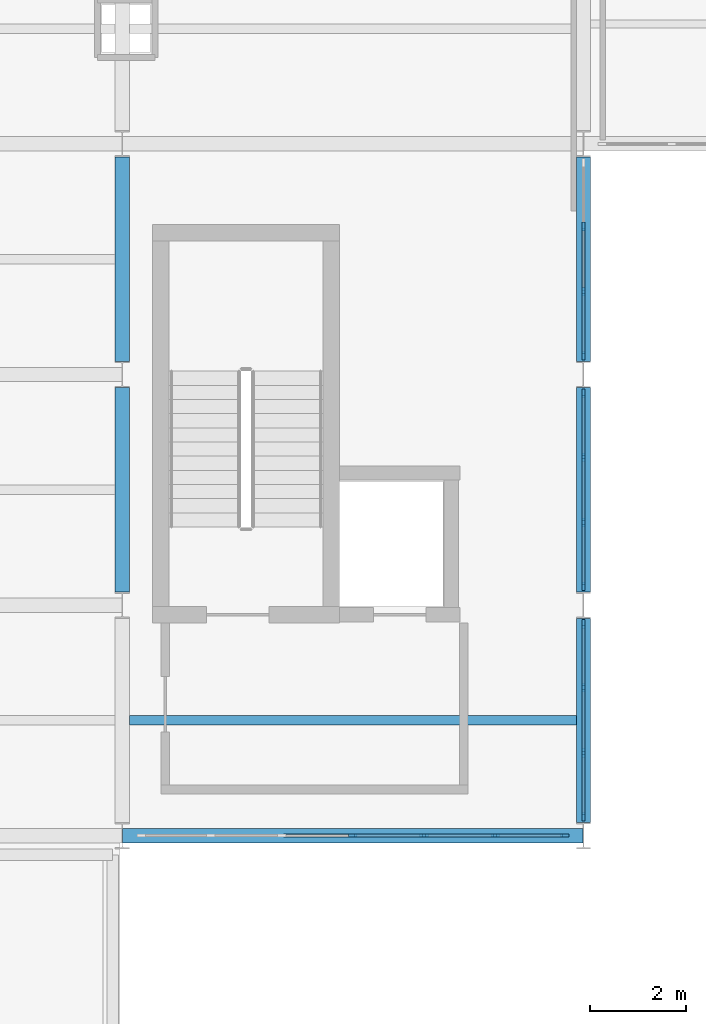
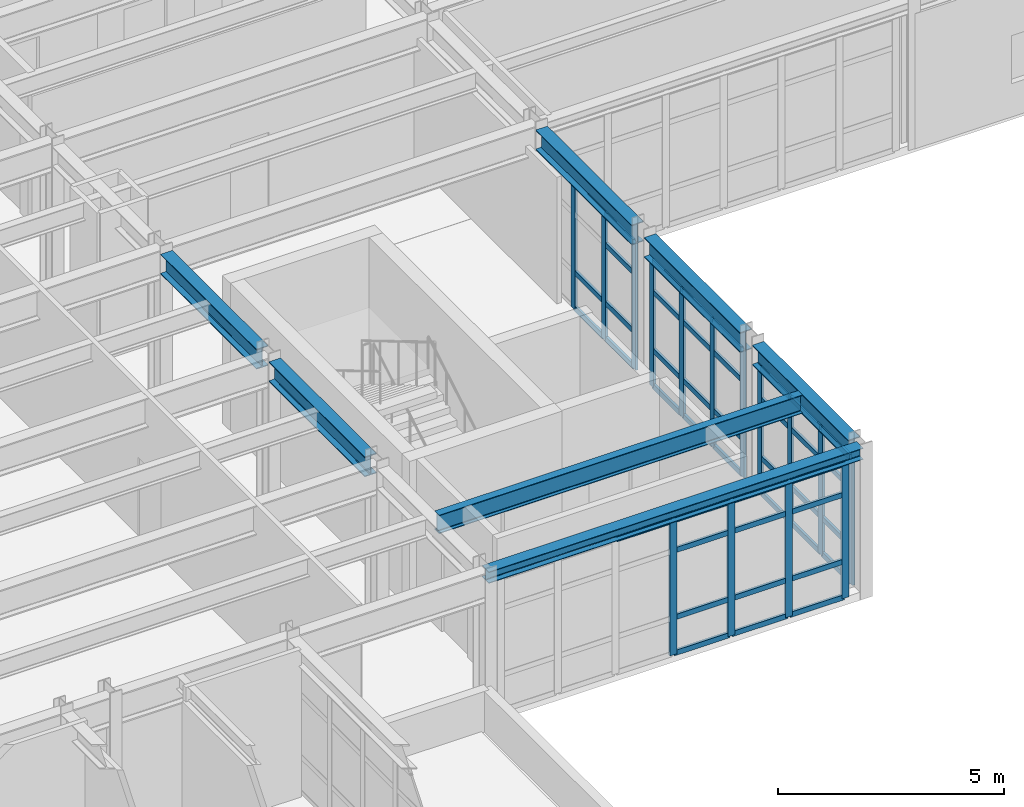
# One storey, part 23 of 64: 58 members, 7 beams, 4 elements without a shape of their own.
"""IFC4 building model written with IfcOpenShell, lengths in metres."""

from ifc_helpers import new_model, si_unit, direction, frame, origin, origin_2d, place, context, subcontext, project, spatial, rectangle, i_section, extrude, material, layer, layer_set, material_profile, profile_set, type_object, element, aggregate, save


model = new_model("IFC4")

# Units and contexts
model_context = context("Model", 3, precision=1e-05, world=origin(), true_north=direction((0.0, 1.0)))
body_context = subcontext(model_context, "Body", "Model", "MODEL_VIEW")
ifc_project = project(units=[si_unit("LENGTHUNIT", "METRE"), si_unit("AREAUNIT", "SQUARE_METRE"), si_unit("VOLUMEUNIT", "CUBIC_METRE"), si_unit("PLANEANGLEUNIT", "RADIAN"), si_unit("MASSUNIT", "GRAM", prefix="KILO")], contexts=[model_context])

# Site, building, storey
site_placement = place(None, origin())
site = spatial("IfcSite", under=ifc_project, at=site_placement, CompositionType="ELEMENT")
building_placement = place(site_placement, origin())
building = spatial("IfcBuilding", under=site, at=building_placement, Name="Nordkorset Police Headquarters", CompositionType="ELEMENT")
storey_placement = place(building_placement, frame((0.0, 0.0, 17.85009765625)))
storey = spatial("IfcBuildingStorey", under=building, at=storey_placement, Name="L04", CompositionType="ELEMENT", Elevation=17.85009765625)

# Beam
ifc_material_1 = material(Name="Steel S355J2", Category="steel")
ifc_material_profile_1 = material_profile(ifc_material_1, i_section(OverallWidth=0.199951171875, OverallDepth=0.5, WebThickness=0.01025390625, FlangeThickness=0.01611328125, FilletRadius=0.02099609375, at=origin_2d()), Name="IPE 500")
ifc_profile_set_1 = profile_set([ifc_material_profile_1], Name="Steel S355J2")
beam_type_1 = type_object("IfcBeamType", Name="Beam_IPE_500", PredefinedType="BEAM", material=ifc_profile_set_1)
beam_1_placement = place(storey_placement, frame((19.35009765625, 85.60009765625, 3.739990234375), z_axis=(1.0, 0.0, 0.0), x_axis=(0.0, 1.0, 0.0)))
element("IfcBeam", 1, at=beam_1_placement, inside=storey, type_object=beam_type_1, Name="Composite Floor Beam V1 L04 1-0-1", PredefinedType="BEAM", context=body_context, shape_type="SweptSolid", body=[
    extrude(i_section(OverallWidth=0.199951171875, OverallDepth=0.5, WebThickness=0.01025390625, FlangeThickness=0.01611328125, FilletRadius=0.02099609375, at=origin_2d()), origin(), (0.0, 0.0, 1.0), 9.2998046875),
])

# Curtain wall, members
ifc_material_2 = material(Name="Aluminium alloy AW-6060", Category="aluminium")
ifc_layer_1 = layer(ifc_material_2, 0.179931640625, Name="Aluminium alloy AW-6060")
ifc_layer_set_1 = layer_set([ifc_layer_1], Name="Aluminium alloy AW-6060")
curtain_wall_type_1 = type_object("IfcCurtainWallType", Name="CW_Unit_408x343", PredefinedType="USERDEFINED", material=ifc_layer_set_1)
curtain_wall_1_placement = place(storey_placement, origin())
curtain_wall_1 = element("IfcCurtainWall", 2, at=curtain_wall_1_placement, inside=storey, type_object=curtain_wall_type_1, Name="Unitised Curtain Wall L04 V1E-0", ObjectType="UNITISED CURTAIN WALL", PredefinedType="USERDEFINED")
ifc_material_3 = material(Name="Aluminium alloy AW-6060", Category="aluminium")
ifc_material_profile_2 = material_profile(ifc_material_3, rectangle(XDim=0.06494140625, YDim=0.179931640625, at=origin_2d()), Name="ALU MULL 65x180")
ifc_profile_set_2 = profile_set([ifc_material_profile_2], Name="Aluminium alloy AW-6060")
member_type_1 = type_object("IfcMemberType", Name="CW_Mullion_65x180", PredefinedType="MULLION", material=ifc_profile_set_2)
member_1_placement = place(storey_placement, frame((28.800048828125, 83.592529296875, 0.0), z_axis=(0.0, 0.0, 1.0), x_axis=(-1.0, 0.0, 0.0)))
member_1 = element("IfcMember", 3, at=member_1_placement, type_object=member_type_1, Name="CW-89 mullion 1", PredefinedType="MULLION", context=body_context, shape_type="SweptSolid", body=[
    extrude(rectangle(XDim=0.06494140625, YDim=0.179931640625, at=origin_2d()), origin(), (0.0, 0.0, 1.0), 3.429931640625),
])
member_2_placement = place(storey_placement, frame((28.800048828125, 84.919921875, 0.0), z_axis=(0.0, 0.0, 1.0), x_axis=(-1.0, 0.0, 0.0)))
member_2 = element("IfcMember", 4, at=member_2_placement, type_object=member_type_1, Name="CW-89 mullion 2", PredefinedType="MULLION", context=body_context, shape_type="SweptSolid", body=[
    extrude(rectangle(XDim=0.06494140625, YDim=0.179931640625, at=origin_2d()), origin(), (0.0, 0.0, 1.0), 3.429931640625),
])
member_3_placement = place(storey_placement, frame((28.800048828125, 86.280029296875, 0.0), z_axis=(0.0, 0.0, 1.0), x_axis=(-1.0, 0.0, 0.0)))
member_3 = element("IfcMember", 5, at=member_3_placement, type_object=member_type_1, Name="CW-89 mullion 3", PredefinedType="MULLION", context=body_context, shape_type="SweptSolid", body=[
    extrude(rectangle(XDim=0.06494140625, YDim=0.179931640625, at=origin_2d()), origin(), (0.0, 0.0, 1.0), 3.429931640625),
])
member_4_placement = place(storey_placement, frame((28.800048828125, 87.607421875, 0.0), z_axis=(0.0, 0.0, 1.0), x_axis=(-1.0, 0.0, 0.0)))
member_4 = element("IfcMember", 6, at=member_4_placement, type_object=member_type_1, Name="CW-89 mullion 4", PredefinedType="MULLION", context=body_context, shape_type="SweptSolid", body=[
    extrude(rectangle(XDim=0.06494140625, YDim=0.179931640625, at=origin_2d()), origin(), (0.0, 0.0, 1.0), 3.429931640625),
])

curtain_wall_2_placement = place(storey_placement, origin())
curtain_wall_2 = element("IfcCurtainWall", 7, at=curtain_wall_2_placement, inside=storey, type_object=curtain_wall_type_1, Name="Unitised Curtain Wall L04 V1E-1", ObjectType="UNITISED CURTAIN WALL", PredefinedType="USERDEFINED")
member_5_placement = place(storey_placement, frame((28.800048828125, 88.392578125, 0.0), z_axis=(0.0, 0.0, 1.0), x_axis=(-1.0, 0.0, 0.0)))
member_5 = element("IfcMember", 8, at=member_5_placement, type_object=member_type_1, Name="CW-89 mullion 1", PredefinedType="MULLION", context=body_context, shape_type="SweptSolid", body=[
    extrude(rectangle(XDim=0.06494140625, YDim=0.179931640625, at=origin_2d()), origin(), (0.0, 0.0, 1.0), 3.429931640625),
])
member_6_placement = place(storey_placement, frame((28.800048828125, 89.719970703125, 0.0), z_axis=(0.0, 0.0, 1.0), x_axis=(-1.0, 0.0, 0.0)))
member_6 = element("IfcMember", 9, at=member_6_placement, type_object=member_type_1, Name="CW-89 mullion 2", PredefinedType="MULLION", context=body_context, shape_type="SweptSolid", body=[
    extrude(rectangle(XDim=0.06494140625, YDim=0.179931640625, at=origin_2d()), origin(), (0.0, 0.0, 1.0), 3.429931640625),
])
member_7_placement = place(storey_placement, frame((28.800048828125, 91.080078125, 0.0), z_axis=(0.0, 0.0, 1.0), x_axis=(-1.0, 0.0, 0.0)))
member_7 = element("IfcMember", 10, at=member_7_placement, type_object=member_type_1, Name="CW-89 mullion 3", PredefinedType="MULLION", context=body_context, shape_type="SweptSolid", body=[
    extrude(rectangle(XDim=0.06494140625, YDim=0.179931640625, at=origin_2d()), origin(), (0.0, 0.0, 1.0), 3.429931640625),
])
member_8_placement = place(storey_placement, frame((28.800048828125, 92.407470703125, 0.0), z_axis=(0.0, 0.0, 1.0), x_axis=(-1.0, 0.0, 0.0)))
member_8 = element("IfcMember", 11, at=member_8_placement, type_object=member_type_1, Name="CW-89 mullion 4", PredefinedType="MULLION", context=body_context, shape_type="SweptSolid", body=[
    extrude(rectangle(XDim=0.06494140625, YDim=0.179931640625, at=origin_2d()), origin(), (0.0, 0.0, 1.0), 3.429931640625),
])

curtain_wall_3_placement = place(storey_placement, origin())
curtain_wall_3 = element("IfcCurtainWall", 12, at=curtain_wall_3_placement, inside=storey, type_object=curtain_wall_type_1, Name="Unitised Curtain Wall L04 V1E-2", ObjectType="UNITISED CURTAIN WALL", PredefinedType="USERDEFINED")
member_9_placement = place(storey_placement, frame((28.800048828125, 93.1923828125, 0.0), z_axis=(0.0, 0.0, 1.0), x_axis=(-1.0, 0.0, 0.0)))
member_9 = element("IfcMember", 13, at=member_9_placement, type_object=member_type_1, Name="CW-89 mullion 1", PredefinedType="MULLION", context=body_context, shape_type="SweptSolid", body=[
    extrude(rectangle(XDim=0.06494140625, YDim=0.179931640625, at=origin_2d()), origin(), (0.0, 0.0, 1.0), 3.429931640625),
])
member_10_placement = place(storey_placement, frame((28.800048828125, 94.52001953125, 0.0), z_axis=(0.0, 0.0, 1.0), x_axis=(-1.0, 0.0, 0.0)))
member_10 = element("IfcMember", 14, at=member_10_placement, type_object=member_type_1, Name="CW-89 mullion 2", PredefinedType="MULLION", context=body_context, shape_type="SweptSolid", body=[
    extrude(rectangle(XDim=0.06494140625, YDim=0.179931640625, at=origin_2d()), origin(), (0.0, 0.0, 1.0), 3.429931640625),
])
member_11_placement = place(storey_placement, frame((28.800048828125, 95.8798828125, 0.0), z_axis=(0.0, 0.0, 1.0), x_axis=(-1.0, 0.0, 0.0)))
member_11 = element("IfcMember", 15, at=member_11_placement, type_object=member_type_1, Name="CW-89 mullion 3", PredefinedType="MULLION", context=body_context, shape_type="SweptSolid", body=[
    extrude(rectangle(XDim=0.06494140625, YDim=0.179931640625, at=origin_2d()), origin(), (0.0, 0.0, 1.0), 3.429931640625),
])

ifc_material_4 = material(Name="Aluminium alloy AW-6060", Category="aluminium")
ifc_layer_2 = layer(ifc_material_4, 0.179931640625, Name="Aluminium alloy AW-6060")
ifc_layer_set_2 = layer_set([ifc_layer_2], Name="Aluminium alloy AW-6060")
curtain_wall_type_2 = type_object("IfcCurtainWallType", Name="CW_Unit_888x366", PredefinedType="USERDEFINED", material=ifc_layer_set_2)
curtain_wall_4_placement = place(storey_placement, origin())
curtain_wall_4 = element("IfcCurtainWall", 16, at=curtain_wall_4_placement, inside=storey, type_object=curtain_wall_type_2, Name="Unitised Curtain Wall L04 V1S-2", ObjectType="UNITISED CURTAIN WALL", PredefinedType="USERDEFINED")
member_12_placement = place(storey_placement, frame((24.0, 83.199951171875, 0.0), z_axis=(0.0, 0.0, 1.0), x_axis=(0.0, 1.0, 0.0)))
member_12 = element("IfcMember", 17, at=member_12_placement, type_object=member_type_1, Name="CW-19 mullion 4", PredefinedType="MULLION", context=body_context, shape_type="SweptSolid", body=[
    extrude(rectangle(XDim=0.06494140625, YDim=0.179931640625, at=origin_2d()), origin(), (0.0, 0.0, 1.0), 3.659912109375),
])
member_13_placement = place(storey_placement, frame((25.47998046875, 83.199951171875, 0.0), z_axis=(0.0, 0.0, 1.0), x_axis=(0.0, 1.0, 0.0)))
member_13 = element("IfcMember", 18, at=member_13_placement, type_object=member_type_1, Name="CW-19 mullion 5", PredefinedType="MULLION", context=body_context, shape_type="SweptSolid", body=[
    extrude(rectangle(XDim=0.06494140625, YDim=0.179931640625, at=origin_2d()), origin(), (0.0, 0.0, 1.0), 3.659912109375),
])
member_14_placement = place(storey_placement, frame((26.9599609375, 83.199951171875, 0.0), z_axis=(0.0, 0.0, 1.0), x_axis=(0.0, 1.0, 0.0)))
member_14 = element("IfcMember", 19, at=member_14_placement, type_object=member_type_1, Name="CW-19 mullion 6", PredefinedType="MULLION", context=body_context, shape_type="SweptSolid", body=[
    extrude(rectangle(XDim=0.06494140625, YDim=0.179931640625, at=origin_2d()), origin(), (0.0, 0.0, 1.0), 3.659912109375),
])
member_15_placement = place(storey_placement, frame((28.407470703125, 83.199951171875, 0.0), z_axis=(0.0, 0.0, 1.0), x_axis=(0.0, 1.0, 0.0)))
member_15 = element("IfcMember", 20, at=member_15_placement, type_object=member_type_1, Name="CW-19 mullion 7", PredefinedType="MULLION", context=body_context, shape_type="SweptSolid", body=[
    extrude(rectangle(XDim=0.06494140625, YDim=0.179931640625, at=origin_2d()), origin(), (0.0, 0.0, 1.0), 3.659912109375),
])

# Member
ifc_material_5 = material(Name="Aluminium alloy AW-6060", Category="aluminium")
ifc_material_profile_3 = material_profile(ifc_material_5, rectangle(XDim=0.06494140625, YDim=0.139892578125, at=origin_2d()), Name="ALU TRAN 65x140")
ifc_profile_set_3 = profile_set([ifc_material_profile_3], Name="Aluminium alloy AW-6060")
member_type_2 = type_object("IfcMemberType", Name="CW_Transom_65x140", PredefinedType="USERDEFINED", material=ifc_profile_set_3)
member_16_placement = place(storey_placement, frame((28.800048828125, 83.625, 0.032470703125), z_axis=(0.0, 1.0, 0.0), x_axis=(-1.0, 0.0, 0.0)))
member_16 = element("IfcMember", 21, at=member_16_placement, type_object=member_type_2, Name="CW-89 transom 1.1", ObjectType="TRANSOM", PredefinedType="USERDEFINED", context=body_context, shape_type="SweptSolid", body=[
    extrude(rectangle(XDim=0.06494140625, YDim=0.139892578125, at=origin_2d()), origin(), (0.0, 0.0, 1.0), 1.262451171875),
])

member_17_placement = place(storey_placement, frame((28.800048828125, 83.625, 1.0), z_axis=(0.0, 1.0, 0.0), x_axis=(-1.0, 0.0, 0.0)))
member_17 = element("IfcMember", 22, at=member_17_placement, type_object=member_type_2, Name="CW-89 transom 1.2", ObjectType="TRANSOM", PredefinedType="USERDEFINED", context=body_context, shape_type="SweptSolid", body=[
    extrude(rectangle(XDim=0.06494140625, YDim=0.139892578125, at=origin_2d()), origin(), (0.0, 0.0, 1.0), 1.262451171875),
])

member_18_placement = place(storey_placement, frame((28.800048828125, 83.625, 2.579833984375), z_axis=(0.0, 1.0, 0.0), x_axis=(-1.0, 0.0, 0.0)))
member_18 = element("IfcMember", 23, at=member_18_placement, type_object=member_type_2, Name="CW-89 transom 1.3", ObjectType="TRANSOM", PredefinedType="USERDEFINED", context=body_context, shape_type="SweptSolid", body=[
    extrude(rectangle(XDim=0.06494140625, YDim=0.139892578125, at=origin_2d()), origin(), (0.0, 0.0, 1.0), 1.262451171875),
])

member_19_placement = place(storey_placement, frame((28.800048828125, 83.625, 3.3974609375), z_axis=(0.0, 1.0, 0.0), x_axis=(-1.0, 0.0, 0.0)))
member_19 = element("IfcMember", 24, at=member_19_placement, type_object=member_type_2, Name="CW-89 transom 1.4", ObjectType="TRANSOM", PredefinedType="USERDEFINED", context=body_context, shape_type="SweptSolid", body=[
    extrude(rectangle(XDim=0.06494140625, YDim=0.139892578125, at=origin_2d()), origin(), (0.0, 0.0, 1.0), 1.262451171875),
])

member_20_placement = place(storey_placement, frame((28.800048828125, 84.952392578125, 0.032470703125), z_axis=(0.0, 1.0, 0.0), x_axis=(-1.0, 0.0, 0.0)))
member_20 = element("IfcMember", 25, at=member_20_placement, type_object=member_type_2, Name="CW-89 transom 2.1", ObjectType="TRANSOM", PredefinedType="USERDEFINED", context=body_context, shape_type="SweptSolid", body=[
    extrude(rectangle(XDim=0.06494140625, YDim=0.139892578125, at=origin_2d()), origin(), (0.0, 0.0, 1.0), 1.295166015625),
])

member_21_placement = place(storey_placement, frame((28.800048828125, 84.952392578125, 1.0), z_axis=(0.0, 1.0, 0.0), x_axis=(-1.0, 0.0, 0.0)))
member_21 = element("IfcMember", 26, at=member_21_placement, type_object=member_type_2, Name="CW-89 transom 2.2", ObjectType="TRANSOM", PredefinedType="USERDEFINED", context=body_context, shape_type="SweptSolid", body=[
    extrude(rectangle(XDim=0.06494140625, YDim=0.139892578125, at=origin_2d()), origin(), (0.0, 0.0, 1.0), 1.295166015625),
])

member_22_placement = place(storey_placement, frame((28.800048828125, 84.952392578125, 2.579833984375), z_axis=(0.0, 1.0, 0.0), x_axis=(-1.0, 0.0, 0.0)))
member_22 = element("IfcMember", 27, at=member_22_placement, type_object=member_type_2, Name="CW-89 transom 2.3", ObjectType="TRANSOM", PredefinedType="USERDEFINED", context=body_context, shape_type="SweptSolid", body=[
    extrude(rectangle(XDim=0.06494140625, YDim=0.139892578125, at=origin_2d()), origin(), (0.0, 0.0, 1.0), 1.295166015625),
])

member_23_placement = place(storey_placement, frame((28.800048828125, 84.952392578125, 3.3974609375), z_axis=(0.0, 1.0, 0.0), x_axis=(-1.0, 0.0, 0.0)))
member_23 = element("IfcMember", 28, at=member_23_placement, type_object=member_type_2, Name="CW-89 transom 2.4", ObjectType="TRANSOM", PredefinedType="USERDEFINED", context=body_context, shape_type="SweptSolid", body=[
    extrude(rectangle(XDim=0.06494140625, YDim=0.139892578125, at=origin_2d()), origin(), (0.0, 0.0, 1.0), 1.295166015625),
])

member_24_placement = place(storey_placement, frame((28.800048828125, 86.3125, 0.032470703125), z_axis=(0.0, 1.0, 0.0), x_axis=(-1.0, 0.0, 0.0)))
member_24 = element("IfcMember", 29, at=member_24_placement, type_object=member_type_2, Name="CW-89 transom 3.1", ObjectType="TRANSOM", PredefinedType="USERDEFINED", context=body_context, shape_type="SweptSolid", body=[
    extrude(rectangle(XDim=0.06494140625, YDim=0.139892578125, at=origin_2d()), origin(), (0.0, 0.0, 1.0), 1.262451171875),
])

member_25_placement = place(storey_placement, frame((28.800048828125, 86.3125, 1.0), z_axis=(0.0, 1.0, 0.0), x_axis=(-1.0, 0.0, 0.0)))
member_25 = element("IfcMember", 30, at=member_25_placement, type_object=member_type_2, Name="CW-89 transom 3.2", ObjectType="TRANSOM", PredefinedType="USERDEFINED", context=body_context, shape_type="SweptSolid", body=[
    extrude(rectangle(XDim=0.06494140625, YDim=0.139892578125, at=origin_2d()), origin(), (0.0, 0.0, 1.0), 1.262451171875),
])

member_26_placement = place(storey_placement, frame((28.800048828125, 86.3125, 2.579833984375), z_axis=(0.0, 1.0, 0.0), x_axis=(-1.0, 0.0, 0.0)))
member_26 = element("IfcMember", 31, at=member_26_placement, type_object=member_type_2, Name="CW-89 transom 3.3", ObjectType="TRANSOM", PredefinedType="USERDEFINED", context=body_context, shape_type="SweptSolid", body=[
    extrude(rectangle(XDim=0.06494140625, YDim=0.139892578125, at=origin_2d()), origin(), (0.0, 0.0, 1.0), 1.262451171875),
])

member_27_placement = place(storey_placement, frame((28.800048828125, 86.3125, 3.3974609375), z_axis=(0.0, 1.0, 0.0), x_axis=(-1.0, 0.0, 0.0)))
member_27 = element("IfcMember", 32, at=member_27_placement, type_object=member_type_2, Name="CW-89 transom 3.4", ObjectType="TRANSOM", PredefinedType="USERDEFINED", context=body_context, shape_type="SweptSolid", body=[
    extrude(rectangle(XDim=0.06494140625, YDim=0.139892578125, at=origin_2d()), origin(), (0.0, 0.0, 1.0), 1.262451171875),
])

aggregate(curtain_wall_1, [member_1, member_2, member_3, member_4, member_16, member_17, member_18, member_19, member_20, member_21, member_22, member_23, member_24, member_25, member_26, member_27])

member_28_placement = place(storey_placement, frame((28.800048828125, 88.425048828125, 0.032470703125), z_axis=(0.0, 1.0, 0.0), x_axis=(-1.0, 0.0, 0.0)))
member_28 = element("IfcMember", 33, at=member_28_placement, type_object=member_type_2, Name="CW-89 transom 1.1", ObjectType="TRANSOM", PredefinedType="USERDEFINED", context=body_context, shape_type="SweptSolid", body=[
    extrude(rectangle(XDim=0.06494140625, YDim=0.139892578125, at=origin_2d()), origin(), (0.0, 0.0, 1.0), 1.262451171875),
])

member_29_placement = place(storey_placement, frame((28.800048828125, 88.425048828125, 1.0), z_axis=(0.0, 1.0, 0.0), x_axis=(-1.0, 0.0, 0.0)))
member_29 = element("IfcMember", 34, at=member_29_placement, type_object=member_type_2, Name="CW-89 transom 1.2", ObjectType="TRANSOM", PredefinedType="USERDEFINED", context=body_context, shape_type="SweptSolid", body=[
    extrude(rectangle(XDim=0.06494140625, YDim=0.139892578125, at=origin_2d()), origin(), (0.0, 0.0, 1.0), 1.262451171875),
])

member_30_placement = place(storey_placement, frame((28.800048828125, 88.425048828125, 2.579833984375), z_axis=(0.0, 1.0, 0.0), x_axis=(-1.0, 0.0, 0.0)))
member_30 = element("IfcMember", 35, at=member_30_placement, type_object=member_type_2, Name="CW-89 transom 1.3", ObjectType="TRANSOM", PredefinedType="USERDEFINED", context=body_context, shape_type="SweptSolid", body=[
    extrude(rectangle(XDim=0.06494140625, YDim=0.139892578125, at=origin_2d()), origin(), (0.0, 0.0, 1.0), 1.262451171875),
])

member_31_placement = place(storey_placement, frame((28.800048828125, 88.425048828125, 3.3974609375), z_axis=(0.0, 1.0, 0.0), x_axis=(-1.0, 0.0, 0.0)))
member_31 = element("IfcMember", 36, at=member_31_placement, type_object=member_type_2, Name="CW-89 transom 1.4", ObjectType="TRANSOM", PredefinedType="USERDEFINED", context=body_context, shape_type="SweptSolid", body=[
    extrude(rectangle(XDim=0.06494140625, YDim=0.139892578125, at=origin_2d()), origin(), (0.0, 0.0, 1.0), 1.262451171875),
])

member_32_placement = place(storey_placement, frame((28.800048828125, 89.75244140625, 0.032470703125), z_axis=(0.0, 1.0, 0.0), x_axis=(-1.0, 0.0, 0.0)))
member_32 = element("IfcMember", 37, at=member_32_placement, type_object=member_type_2, Name="CW-89 transom 2.1", ObjectType="TRANSOM", PredefinedType="USERDEFINED", context=body_context, shape_type="SweptSolid", body=[
    extrude(rectangle(XDim=0.06494140625, YDim=0.139892578125, at=origin_2d()), origin(), (0.0, 0.0, 1.0), 1.295166015625),
])

member_33_placement = place(storey_placement, frame((28.800048828125, 89.75244140625, 1.0), z_axis=(0.0, 1.0, 0.0), x_axis=(-1.0, 0.0, 0.0)))
member_33 = element("IfcMember", 38, at=member_33_placement, type_object=member_type_2, Name="CW-89 transom 2.2", ObjectType="TRANSOM", PredefinedType="USERDEFINED", context=body_context, shape_type="SweptSolid", body=[
    extrude(rectangle(XDim=0.06494140625, YDim=0.139892578125, at=origin_2d()), origin(), (0.0, 0.0, 1.0), 1.295166015625),
])

member_34_placement = place(storey_placement, frame((28.800048828125, 89.75244140625, 2.579833984375), z_axis=(0.0, 1.0, 0.0), x_axis=(-1.0, 0.0, 0.0)))
member_34 = element("IfcMember", 39, at=member_34_placement, type_object=member_type_2, Name="CW-89 transom 2.3", ObjectType="TRANSOM", PredefinedType="USERDEFINED", context=body_context, shape_type="SweptSolid", body=[
    extrude(rectangle(XDim=0.06494140625, YDim=0.139892578125, at=origin_2d()), origin(), (0.0, 0.0, 1.0), 1.295166015625),
])

member_35_placement = place(storey_placement, frame((28.800048828125, 89.75244140625, 3.3974609375), z_axis=(0.0, 1.0, 0.0), x_axis=(-1.0, 0.0, 0.0)))
member_35 = element("IfcMember", 40, at=member_35_placement, type_object=member_type_2, Name="CW-89 transom 2.4", ObjectType="TRANSOM", PredefinedType="USERDEFINED", context=body_context, shape_type="SweptSolid", body=[
    extrude(rectangle(XDim=0.06494140625, YDim=0.139892578125, at=origin_2d()), origin(), (0.0, 0.0, 1.0), 1.295166015625),
])

member_36_placement = place(storey_placement, frame((28.800048828125, 91.112548828125, 0.032470703125), z_axis=(0.0, 1.0, 0.0), x_axis=(-1.0, 0.0, 0.0)))
member_36 = element("IfcMember", 41, at=member_36_placement, type_object=member_type_2, Name="CW-89 transom 3.1", ObjectType="TRANSOM", PredefinedType="USERDEFINED", context=body_context, shape_type="SweptSolid", body=[
    extrude(rectangle(XDim=0.06494140625, YDim=0.139892578125, at=origin_2d()), origin(), (0.0, 0.0, 1.0), 1.262451171875),
])

member_37_placement = place(storey_placement, frame((28.800048828125, 91.112548828125, 1.0), z_axis=(0.0, 1.0, 0.0), x_axis=(-1.0, 0.0, 0.0)))
member_37 = element("IfcMember", 42, at=member_37_placement, type_object=member_type_2, Name="CW-89 transom 3.2", ObjectType="TRANSOM", PredefinedType="USERDEFINED", context=body_context, shape_type="SweptSolid", body=[
    extrude(rectangle(XDim=0.06494140625, YDim=0.139892578125, at=origin_2d()), origin(), (0.0, 0.0, 1.0), 1.262451171875),
])

member_38_placement = place(storey_placement, frame((28.800048828125, 91.112548828125, 2.579833984375), z_axis=(0.0, 1.0, 0.0), x_axis=(-1.0, 0.0, 0.0)))
member_38 = element("IfcMember", 43, at=member_38_placement, type_object=member_type_2, Name="CW-89 transom 3.3", ObjectType="TRANSOM", PredefinedType="USERDEFINED", context=body_context, shape_type="SweptSolid", body=[
    extrude(rectangle(XDim=0.06494140625, YDim=0.139892578125, at=origin_2d()), origin(), (0.0, 0.0, 1.0), 1.262451171875),
])

member_39_placement = place(storey_placement, frame((28.800048828125, 91.112548828125, 3.3974609375), z_axis=(0.0, 1.0, 0.0), x_axis=(-1.0, 0.0, 0.0)))
member_39 = element("IfcMember", 44, at=member_39_placement, type_object=member_type_2, Name="CW-89 transom 3.4", ObjectType="TRANSOM", PredefinedType="USERDEFINED", context=body_context, shape_type="SweptSolid", body=[
    extrude(rectangle(XDim=0.06494140625, YDim=0.139892578125, at=origin_2d()), origin(), (0.0, 0.0, 1.0), 1.262451171875),
])

aggregate(curtain_wall_2, [member_5, member_6, member_7, member_8, member_28, member_29, member_30, member_31, member_32, member_33, member_34, member_35, member_36, member_37, member_38, member_39])

member_40_placement = place(storey_placement, frame((28.800048828125, 93.22509765625, 0.032470703125), z_axis=(0.0, 1.0, 0.0), x_axis=(-1.0, 0.0, 0.0)))
member_40 = element("IfcMember", 45, at=member_40_placement, type_object=member_type_2, Name="CW-89 transom 1.1", ObjectType="TRANSOM", PredefinedType="USERDEFINED", context=body_context, shape_type="SweptSolid", body=[
    extrude(rectangle(XDim=0.06494140625, YDim=0.139892578125, at=origin_2d()), origin(), (0.0, 0.0, 1.0), 1.262451171875),
])

member_41_placement = place(storey_placement, frame((28.800048828125, 93.22509765625, 1.0), z_axis=(0.0, 1.0, 0.0), x_axis=(-1.0, 0.0, 0.0)))
member_41 = element("IfcMember", 46, at=member_41_placement, type_object=member_type_2, Name="CW-89 transom 1.2", ObjectType="TRANSOM", PredefinedType="USERDEFINED", context=body_context, shape_type="SweptSolid", body=[
    extrude(rectangle(XDim=0.06494140625, YDim=0.139892578125, at=origin_2d()), origin(), (0.0, 0.0, 1.0), 1.262451171875),
])

member_42_placement = place(storey_placement, frame((28.800048828125, 93.22509765625, 2.579833984375), z_axis=(0.0, 1.0, 0.0), x_axis=(-1.0, 0.0, 0.0)))
member_42 = element("IfcMember", 47, at=member_42_placement, type_object=member_type_2, Name="CW-89 transom 1.3", ObjectType="TRANSOM", PredefinedType="USERDEFINED", context=body_context, shape_type="SweptSolid", body=[
    extrude(rectangle(XDim=0.06494140625, YDim=0.139892578125, at=origin_2d()), origin(), (0.0, 0.0, 1.0), 1.262451171875),
])

member_43_placement = place(storey_placement, frame((28.800048828125, 93.22509765625, 3.3974609375), z_axis=(0.0, 1.0, 0.0), x_axis=(-1.0, 0.0, 0.0)))
member_43 = element("IfcMember", 48, at=member_43_placement, type_object=member_type_2, Name="CW-89 transom 1.4", ObjectType="TRANSOM", PredefinedType="USERDEFINED", context=body_context, shape_type="SweptSolid", body=[
    extrude(rectangle(XDim=0.06494140625, YDim=0.139892578125, at=origin_2d()), origin(), (0.0, 0.0, 1.0), 1.262451171875),
])

member_44_placement = place(storey_placement, frame((28.800048828125, 94.552490234375, 0.032470703125), z_axis=(0.0, 1.0, 0.0), x_axis=(-1.0, 0.0, 0.0)))
member_44 = element("IfcMember", 49, at=member_44_placement, type_object=member_type_2, Name="CW-89 transom 2.1", ObjectType="TRANSOM", PredefinedType="USERDEFINED", context=body_context, shape_type="SweptSolid", body=[
    extrude(rectangle(XDim=0.06494140625, YDim=0.139892578125, at=origin_2d()), origin(), (0.0, 0.0, 1.0), 1.294921875),
])

member_45_placement = place(storey_placement, frame((28.800048828125, 94.552490234375, 1.0), z_axis=(0.0, 1.0, 0.0), x_axis=(-1.0, 0.0, 0.0)))
member_45 = element("IfcMember", 50, at=member_45_placement, type_object=member_type_2, Name="CW-89 transom 2.2", ObjectType="TRANSOM", PredefinedType="USERDEFINED", context=body_context, shape_type="SweptSolid", body=[
    extrude(rectangle(XDim=0.06494140625, YDim=0.139892578125, at=origin_2d()), origin(), (0.0, 0.0, 1.0), 1.294921875),
])

aggregate(curtain_wall_3, [member_9, member_10, member_11, member_40, member_41, member_42, member_43, member_44, member_45])

member_46_placement = place(storey_placement, frame((22.552490234375, 83.199951171875, 3.62744140625), z_axis=(1.0, 0.0, 0.0), x_axis=(0.0, 1.0, 0.0)))
member_46 = element("IfcMember", 51, at=member_46_placement, type_object=member_type_2, Name="CW-19 transom 3.4", ObjectType="TRANSOM", PredefinedType="USERDEFINED", context=body_context, shape_type="SweptSolid", body=[
    extrude(rectangle(XDim=0.06494140625, YDim=0.139892578125, at=origin_2d()), origin(), (0.0, 0.0, 1.0), 1.4150390625),
])

member_47_placement = place(storey_placement, frame((24.032470703125, 83.199951171875, 0.032470703125), z_axis=(1.0, 0.0, 0.0), x_axis=(0.0, 1.0, 0.0)))
member_47 = element("IfcMember", 52, at=member_47_placement, type_object=member_type_2, Name="CW-19 transom 4.1", ObjectType="TRANSOM", PredefinedType="USERDEFINED", context=body_context, shape_type="SweptSolid", body=[
    extrude(rectangle(XDim=0.06494140625, YDim=0.139892578125, at=origin_2d()), origin(), (0.0, 0.0, 1.0), 1.4150390625),
])

member_48_placement = place(storey_placement, frame((24.032470703125, 83.199951171875, 1.0), z_axis=(1.0, 0.0, 0.0), x_axis=(0.0, 1.0, 0.0)))
member_48 = element("IfcMember", 53, at=member_48_placement, type_object=member_type_2, Name="CW-19 transom 4.2", ObjectType="TRANSOM", PredefinedType="USERDEFINED", context=body_context, shape_type="SweptSolid", body=[
    extrude(rectangle(XDim=0.06494140625, YDim=0.139892578125, at=origin_2d()), origin(), (0.0, 0.0, 1.0), 1.4150390625),
])

member_49_placement = place(storey_placement, frame((24.032470703125, 83.199951171875, 2.809814453125), z_axis=(1.0, 0.0, 0.0), x_axis=(0.0, 1.0, 0.0)))
member_49 = element("IfcMember", 54, at=member_49_placement, type_object=member_type_2, Name="CW-19 transom 4.3", ObjectType="TRANSOM", PredefinedType="USERDEFINED", context=body_context, shape_type="SweptSolid", body=[
    extrude(rectangle(XDim=0.06494140625, YDim=0.139892578125, at=origin_2d()), origin(), (0.0, 0.0, 1.0), 1.4150390625),
])

member_50_placement = place(storey_placement, frame((24.032470703125, 83.199951171875, 3.62744140625), z_axis=(1.0, 0.0, 0.0), x_axis=(0.0, 1.0, 0.0)))
member_50 = element("IfcMember", 55, at=member_50_placement, type_object=member_type_2, Name="CW-19 transom 4.4", ObjectType="TRANSOM", PredefinedType="USERDEFINED", context=body_context, shape_type="SweptSolid", body=[
    extrude(rectangle(XDim=0.06494140625, YDim=0.139892578125, at=origin_2d()), origin(), (0.0, 0.0, 1.0), 1.4150390625),
])

member_51_placement = place(storey_placement, frame((25.512451171875, 83.199951171875, 0.032470703125), z_axis=(1.0, 0.0, 0.0), x_axis=(0.0, 1.0, 0.0)))
member_51 = element("IfcMember", 56, at=member_51_placement, type_object=member_type_2, Name="CW-19 transom 5.1", ObjectType="TRANSOM", PredefinedType="USERDEFINED", context=body_context, shape_type="SweptSolid", body=[
    extrude(rectangle(XDim=0.06494140625, YDim=0.139892578125, at=origin_2d()), origin(), (0.0, 0.0, 1.0), 1.4150390625),
])

member_52_placement = place(storey_placement, frame((25.512451171875, 83.199951171875, 1.0), z_axis=(1.0, 0.0, 0.0), x_axis=(0.0, 1.0, 0.0)))
member_52 = element("IfcMember", 57, at=member_52_placement, type_object=member_type_2, Name="CW-19 transom 5.2", ObjectType="TRANSOM", PredefinedType="USERDEFINED", context=body_context, shape_type="SweptSolid", body=[
    extrude(rectangle(XDim=0.06494140625, YDim=0.139892578125, at=origin_2d()), origin(), (0.0, 0.0, 1.0), 1.4150390625),
])

member_53_placement = place(storey_placement, frame((25.512451171875, 83.199951171875, 2.809814453125), z_axis=(1.0, 0.0, 0.0), x_axis=(0.0, 1.0, 0.0)))
member_53 = element("IfcMember", 58, at=member_53_placement, type_object=member_type_2, Name="CW-19 transom 5.3", ObjectType="TRANSOM", PredefinedType="USERDEFINED", context=body_context, shape_type="SweptSolid", body=[
    extrude(rectangle(XDim=0.06494140625, YDim=0.139892578125, at=origin_2d()), origin(), (0.0, 0.0, 1.0), 1.4150390625),
])

member_54_placement = place(storey_placement, frame((25.512451171875, 83.199951171875, 3.62744140625), z_axis=(1.0, 0.0, 0.0), x_axis=(0.0, 1.0, 0.0)))
member_54 = element("IfcMember", 59, at=member_54_placement, type_object=member_type_2, Name="CW-19 transom 5.4", ObjectType="TRANSOM", PredefinedType="USERDEFINED", context=body_context, shape_type="SweptSolid", body=[
    extrude(rectangle(XDim=0.06494140625, YDim=0.139892578125, at=origin_2d()), origin(), (0.0, 0.0, 1.0), 1.4150390625),
])

member_55_placement = place(storey_placement, frame((26.992431640625, 83.199951171875, 0.032470703125), z_axis=(1.0, 0.0, 0.0), x_axis=(0.0, 1.0, 0.0)))
member_55 = element("IfcMember", 60, at=member_55_placement, type_object=member_type_2, Name="CW-19 transom 6.1", ObjectType="TRANSOM", PredefinedType="USERDEFINED", context=body_context, shape_type="SweptSolid", body=[
    extrude(rectangle(XDim=0.06494140625, YDim=0.139892578125, at=origin_2d()), origin(), (0.0, 0.0, 1.0), 1.382568359375),
])

member_56_placement = place(storey_placement, frame((26.992431640625, 83.199951171875, 1.0), z_axis=(1.0, 0.0, 0.0), x_axis=(0.0, 1.0, 0.0)))
member_56 = element("IfcMember", 61, at=member_56_placement, type_object=member_type_2, Name="CW-19 transom 6.2", ObjectType="TRANSOM", PredefinedType="USERDEFINED", context=body_context, shape_type="SweptSolid", body=[
    extrude(rectangle(XDim=0.06494140625, YDim=0.139892578125, at=origin_2d()), origin(), (0.0, 0.0, 1.0), 1.382568359375),
])

member_57_placement = place(storey_placement, frame((26.992431640625, 83.199951171875, 2.809814453125), z_axis=(1.0, 0.0, 0.0), x_axis=(0.0, 1.0, 0.0)))
member_57 = element("IfcMember", 62, at=member_57_placement, type_object=member_type_2, Name="CW-19 transom 6.3", ObjectType="TRANSOM", PredefinedType="USERDEFINED", context=body_context, shape_type="SweptSolid", body=[
    extrude(rectangle(XDim=0.06494140625, YDim=0.139892578125, at=origin_2d()), origin(), (0.0, 0.0, 1.0), 1.382568359375),
])

member_58_placement = place(storey_placement, frame((26.992431640625, 83.199951171875, 3.62744140625), z_axis=(1.0, 0.0, 0.0), x_axis=(0.0, 1.0, 0.0)))
member_58 = element("IfcMember", 63, at=member_58_placement, type_object=member_type_2, Name="CW-19 transom 6.4", ObjectType="TRANSOM", PredefinedType="USERDEFINED", context=body_context, shape_type="SweptSolid", body=[
    extrude(rectangle(XDim=0.06494140625, YDim=0.139892578125, at=origin_2d()), origin(), (0.0, 0.0, 1.0), 1.382568359375),
])

aggregate(curtain_wall_4, [member_12, member_13, member_14, member_15, member_46, member_47, member_48, member_49, member_50, member_51, member_52, member_53, member_54, member_55, member_56, member_57, member_58])

# Beams
ifc_material_6 = material(Name="Steel S355J2", Category="steel")
ifc_material_profile_4 = material_profile(ifc_material_6, i_section(OverallWidth=0.300048828125, OverallDepth=0.5400390625, WebThickness=0.012451171875, FlangeThickness=0.02392578125, FilletRadius=0.027099609375, at=origin_2d()), Name="HEA 550")
ifc_profile_set_4 = profile_set([ifc_material_profile_4], Name="Steel S355J2")
beam_type_2 = type_object("IfcBeamType", Name="Girder_HEA_550", PredefinedType="USERDEFINED", material=ifc_profile_set_4)
for number, where, z_axis, x_axis, name in (
    (64, (19.199951171875, 88.27490234375, 3.719970703125), (0.0, 1.0, 0.0), (-1.0, 0.0, 0.0), "Girder V1 L04 GY-1-1"),
    (65, (19.199951171875, 93.074951171875, 3.719970703125), (0.0, 1.0, 0.0), (-1.0, 0.0, 0.0), "Girder V1 L04 GY-1-2"),
    (66, (28.800048828125, 83.47509765625, 3.719970703125), (0.0, 1.0, 0.0), (-1.0, 0.0, 0.0), "Girder V1 L04 GY-2-0"),
    (67, (28.800048828125, 88.27490234375, 3.719970703125), (0.0, 1.0, 0.0), (-1.0, 0.0, 0.0), "Girder V1 L04 GY-2-1"),
    (68, (28.800048828125, 93.074951171875, 3.719970703125), (0.0, 1.0, 0.0), (-1.0, 0.0, 0.0), "Girder V1 L04 GY-2-2"),
):
    element("IfcBeam", number, at=place(storey_placement, frame(where, z_axis=z_axis, x_axis=x_axis)), inside=storey, type_object=beam_type_2, Name=name, ObjectType="GIRDER", PredefinedType="USERDEFINED", context=body_context, shape_type="SweptSolid", body=[
        extrude(i_section(OverallWidth=0.300048828125, OverallDepth=0.5400390625, WebThickness=0.012451171875, FlangeThickness=0.02392578125, FilletRadius=0.027099609375, at=origin_2d()), origin(), (0.0, 0.0, 1.0), 4.25),
    ])
ifc_material_7 = material(Name="Steel S355J2", Category="steel")
ifc_material_profile_5 = material_profile(ifc_material_7, i_section(OverallWidth=0.300048828125, OverallDepth=0.31005859375, WebThickness=0.009033203125, FlangeThickness=0.015380859375, FilletRadius=0.027099609375, at=origin_2d()), Name="HEA 320")
ifc_profile_set_5 = profile_set([ifc_material_profile_5], Name="Steel S355J2")
beam_type_3 = type_object("IfcBeamType", Name="Spandrel_HEA_320", PredefinedType="SPANDREL", material=ifc_profile_set_5)
beam_2_placement = place(storey_placement, frame((19.20751953125, 83.199951171875, 3.8349609375), z_axis=(1.0, 0.0, 0.0), x_axis=(0.0, 1.0, 0.0)))
element("IfcBeam", 69, at=beam_2_placement, inside=storey, type_object=beam_type_3, Name="Girder V1 L04 GX-0-1", PredefinedType="SPANDREL", context=body_context, shape_type="SweptSolid", body=[
    extrude(i_section(OverallWidth=0.300048828125, OverallDepth=0.31005859375, WebThickness=0.009033203125, FlangeThickness=0.015380859375, FilletRadius=0.027099609375, at=origin_2d()), origin(), (0.0, 0.0, 1.0), 9.5849609375),
])

save(model, "model.ifc")
